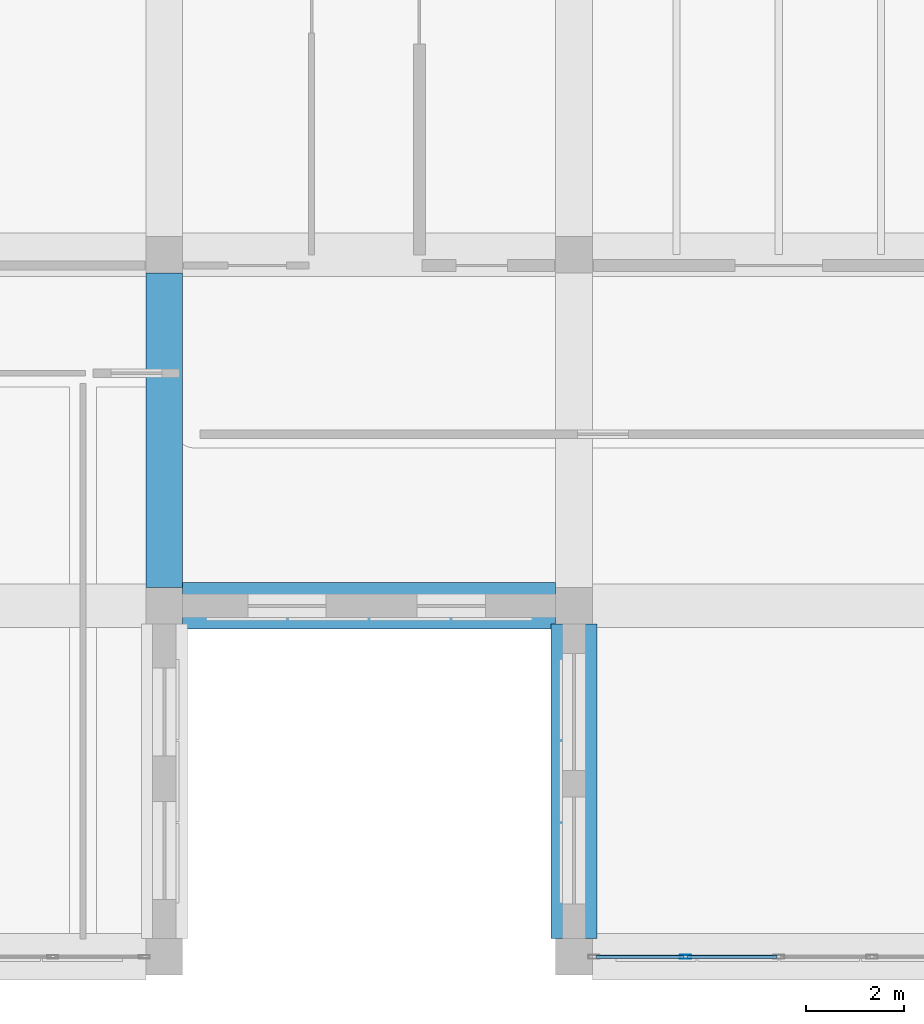
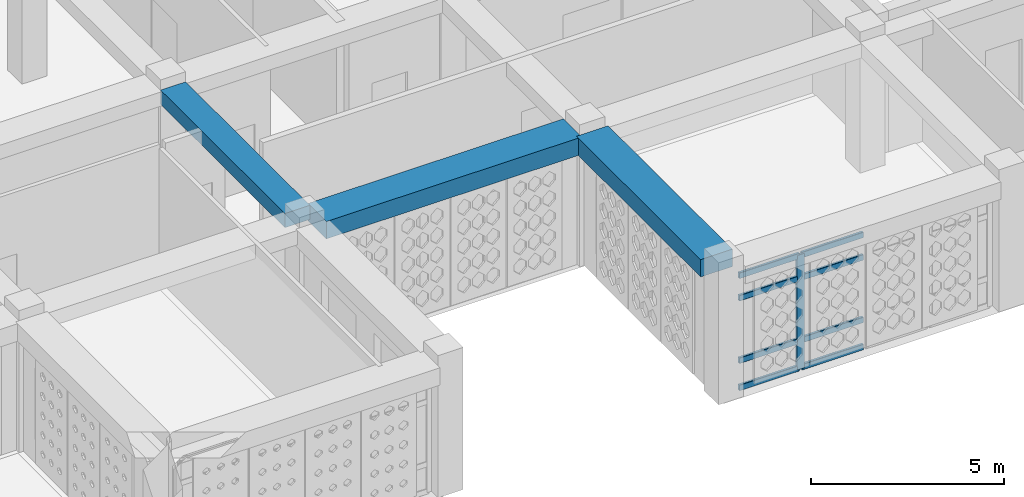
# One storey, part 16 of 111: 9 members, 3 beams, 1 element without a shape of its own.
"""IFC4 building model written with IfcOpenShell, lengths in metres."""

from ifc_helpers import new_model, si_unit, derived_unit, direction, frame, origin, origin_2d, place, context, subcontext, project, spatial, rectangle, hollow_rectangle, extrude, material, material_profile, profile_set, type_object, element, aggregate, save


model = new_model("IFC4")

# Units and contexts
model_context = context("Model", 3, precision=1e-05, world=origin(), true_north=direction((0.0, 1.0)))
body_context = subcontext(model_context, "Body", "Model", "MODEL_VIEW")
ifc_project = project(units=[si_unit("LENGTHUNIT", "METRE"), si_unit("AREAUNIT", "SQUARE_METRE"), si_unit("VOLUMEUNIT", "CUBIC_METRE"), si_unit("PLANEANGLEUNIT", "RADIAN"), si_unit("MASSUNIT", "GRAM", prefix="KILO"), derived_unit("THERMALTRANSMITTANCEUNIT", [(si_unit("POWERUNIT", "WATT"), 1), (si_unit("LENGTHUNIT", "METRE"), -2), (si_unit("THERMODYNAMICTEMPERATUREUNIT", "KELVIN"), -1)])], contexts=[model_context])

# Site, building, storey
site_placement = place(None, origin())
site = spatial("IfcSite", under=ifc_project, at=site_placement, CompositionType="ELEMENT")
building_placement = place(site_placement, origin())
building = spatial("IfcBuilding", under=site, at=building_placement, Name="Veybourne Emporium", CompositionType="ELEMENT")
storey_placement = place(building_placement, frame((0.0, 0.0, 9.89990234375)))
storey = spatial("IfcBuildingStorey", under=building, at=storey_placement, Name="L02", CompositionType="ELEMENT", Elevation=9.89990234375)

# Curtain wall, members
ifc_material_1 = material(Name="Patinated Architectural Bronze", Category="bronze")
curtain_wall_type = type_object("IfcCurtainWallType", Name="CWSystem_CWS-19", PredefinedType="NOTDEFINED", material=ifc_material_1)
curtain_wall_placement = place(storey_placement, origin())
curtain_wall = element("IfcCurtainWall", 1, at=curtain_wall_placement, inside=storey, type_object=curtain_wall_type, Name="L02 bronze glazed curtain wall CWS-19 (046)", PredefinedType="NOTDEFINED")
ifc_material_profile_1 = material_profile(ifc_material_1, hollow_rectangle(XDim=0.077880859375, YDim=0.235107421875, WallThickness=0.0048828125, InnerFilletRadius=0.007568359375, OuterFilletRadius=0.012451171875, at=origin_2d()), Name="CWM 78x235x5")
ifc_profile_set_1 = profile_set([ifc_material_profile_1], Name="Patinated Architectural Bronze")
member_type_1 = type_object("IfcMemberType", Name="CWMullion_CW-M3", PredefinedType="MULLION", material=ifc_profile_set_1)
member_1_placement = place(storey_placement, frame((94.6875, 0.0, 0.0), z_axis=(0.0, 0.0, 1.0), x_axis=(0.0, -1.0, 0.0)))
member_1 = element("IfcMember", 2, at=member_1_placement, type_object=member_type_1, Name="CWS-19 mullion 4", PredefinedType="MULLION", context=body_context, shape_type="SweptSolid", body=[
    extrude(hollow_rectangle(XDim=0.077880859375, YDim=0.235107421875, WallThickness=0.0048828125, InnerFilletRadius=0.007568359375, OuterFilletRadius=0.012451171875, at=origin_2d()), origin(), (0.0, 0.0, 1.0), 3.630126953125),
])
ifc_material_profile_2 = material_profile(ifc_material_1, hollow_rectangle(XDim=0.077880859375, YDim=0.18505859375, WallThickness=0.0048828125, InnerFilletRadius=0.007568359375, OuterFilletRadius=0.012451171875, at=origin_2d()), Name="CWT 78x185x5")
ifc_profile_set_2 = profile_set([ifc_material_profile_2], Name="Patinated Architectural Bronze")
member_type_2 = type_object("IfcMemberType", Name="CWTransom_CW-T3", PredefinedType="NOTDEFINED", material=ifc_profile_set_2)
member_2_placement = place(storey_placement, frame((96.56103515625, 0.0, 0.0390625), z_axis=(-1.0, 0.0, 0.0), x_axis=(0.0, -1.0, 0.0)))
member_2 = element("IfcMember", 3, at=member_2_placement, type_object=member_type_2, Name="CWS-19 transom 3.1", ObjectType="TRANSOM", PredefinedType="USERDEFINED", context=body_context, shape_type="SweptSolid", body=[
    extrude(hollow_rectangle(XDim=0.077880859375, YDim=0.18505859375, WallThickness=0.0048828125, InnerFilletRadius=0.007568359375, OuterFilletRadius=0.012451171875, at=origin_2d()), origin(), (0.0, 0.0, 1.0), 1.83447265625),
])
member_3_placement = place(storey_placement, frame((96.56103515625, 0.0, 0.900146484375), z_axis=(-1.0, 0.0, 0.0), x_axis=(0.0, -1.0, 0.0)))
member_3 = element("IfcMember", 4, at=member_3_placement, type_object=member_type_2, Name="CWS-19 transom 3.2", ObjectType="TRANSOM", PredefinedType="USERDEFINED", context=body_context, shape_type="SweptSolid", body=[
    extrude(hollow_rectangle(XDim=0.077880859375, YDim=0.18505859375, WallThickness=0.0048828125, InnerFilletRadius=0.007568359375, OuterFilletRadius=0.012451171875, at=origin_2d()), origin(), (0.0, 0.0, 1.0), 1.83447265625),
])
member_4_placement = place(storey_placement, frame((96.56103515625, 0.0, 2.880126953125), z_axis=(-1.0, 0.0, 0.0), x_axis=(0.0, -1.0, 0.0)))
member_4 = element("IfcMember", 5, at=member_4_placement, type_object=member_type_2, Name="CWS-19 transom 3.3", ObjectType="TRANSOM", PredefinedType="USERDEFINED", context=body_context, shape_type="SweptSolid", body=[
    extrude(hollow_rectangle(XDim=0.077880859375, YDim=0.18505859375, WallThickness=0.0048828125, InnerFilletRadius=0.007568359375, OuterFilletRadius=0.012451171875, at=origin_2d()), origin(), (0.0, 0.0, 1.0), 1.83447265625),
])
member_5_placement = place(storey_placement, frame((96.56103515625, 0.0, 3.591064453125), z_axis=(-1.0, 0.0, 0.0), x_axis=(0.0, -1.0, 0.0)))
member_5 = element("IfcMember", 6, at=member_5_placement, type_object=member_type_2, Name="CWS-19 transom 3.4", ObjectType="TRANSOM", PredefinedType="USERDEFINED", context=body_context, shape_type="SweptSolid", body=[
    extrude(hollow_rectangle(XDim=0.077880859375, YDim=0.18505859375, WallThickness=0.0048828125, InnerFilletRadius=0.007568359375, OuterFilletRadius=0.012451171875, at=origin_2d()), origin(), (0.0, 0.0, 1.0), 1.83447265625),
])
member_6_placement = place(storey_placement, frame((94.6484375, 0.0, 0.0390625), z_axis=(-1.0, 0.0, 0.0), x_axis=(0.0, -1.0, 0.0)))
member_6 = element("IfcMember", 7, at=member_6_placement, type_object=member_type_2, Name="CWS-19 transom 4.1", ObjectType="TRANSOM", PredefinedType="USERDEFINED", context=body_context, shape_type="SweptSolid", body=[
    extrude(hollow_rectangle(XDim=0.077880859375, YDim=0.18505859375, WallThickness=0.0048828125, InnerFilletRadius=0.007568359375, OuterFilletRadius=0.012451171875, at=origin_2d()), origin(), (0.0, 0.0, 1.0), 1.79541015625),
])
member_7_placement = place(storey_placement, frame((94.6484375, 0.0, 0.900146484375), z_axis=(-1.0, 0.0, 0.0), x_axis=(0.0, -1.0, 0.0)))
member_7 = element("IfcMember", 8, at=member_7_placement, type_object=member_type_2, Name="CWS-19 transom 4.2", ObjectType="TRANSOM", PredefinedType="USERDEFINED", context=body_context, shape_type="SweptSolid", body=[
    extrude(hollow_rectangle(XDim=0.077880859375, YDim=0.18505859375, WallThickness=0.0048828125, InnerFilletRadius=0.007568359375, OuterFilletRadius=0.012451171875, at=origin_2d()), origin(), (0.0, 0.0, 1.0), 1.79541015625),
])
member_8_placement = place(storey_placement, frame((94.6484375, 0.0, 2.880126953125), z_axis=(-1.0, 0.0, 0.0), x_axis=(0.0, -1.0, 0.0)))
member_8 = element("IfcMember", 9, at=member_8_placement, type_object=member_type_2, Name="CWS-19 transom 4.3", ObjectType="TRANSOM", PredefinedType="USERDEFINED", context=body_context, shape_type="SweptSolid", body=[
    extrude(hollow_rectangle(XDim=0.077880859375, YDim=0.18505859375, WallThickness=0.0048828125, InnerFilletRadius=0.007568359375, OuterFilletRadius=0.012451171875, at=origin_2d()), origin(), (0.0, 0.0, 1.0), 1.79541015625),
])
member_9_placement = place(storey_placement, frame((94.6484375, 0.0, 3.591064453125), z_axis=(-1.0, 0.0, 0.0), x_axis=(0.0, -1.0, 0.0)))
member_9 = element("IfcMember", 10, at=member_9_placement, type_object=member_type_2, Name="CWS-19 transom 4.4", ObjectType="TRANSOM", PredefinedType="USERDEFINED", context=body_context, shape_type="SweptSolid", body=[
    extrude(hollow_rectangle(XDim=0.077880859375, YDim=0.18505859375, WallThickness=0.0048828125, InnerFilletRadius=0.007568359375, OuterFilletRadius=0.012451171875, at=origin_2d()), origin(), (0.0, 0.0, 1.0), 1.79541015625),
])
aggregate(curtain_wall, [member_1, member_2, member_3, member_4, member_5, member_6, member_7, member_8, member_9])

# Beams
ifc_material_2 = material(Name="Concrete C32/40", Category="concrete")
ifc_material_profile_3 = material_profile(ifc_material_2, rectangle(XDim=0.75, YDim=0.449951171875, at=origin_2d()), Name="RC 750x450")
ifc_profile_set_3 = profile_set([ifc_material_profile_3], Name="Concrete C32/40")
beam_type_1 = type_object("IfcBeamType", Name="RCBeam_BB-04", PredefinedType="BEAM", material=ifc_profile_set_3)
beam_1_placement = place(storey_placement, frame((84.0, 7.574951171875, 3.955078125), z_axis=(0.0, 1.0, 0.0), x_axis=(-1.0, 0.0, 0.0)))
element("IfcBeam", 11, at=beam_1_placement, inside=storey, type_object=beam_type_1, Name="L02 Y-grid beam BB-04 (10,1)", PredefinedType="BEAM", context=body_context, shape_type="SweptSolid", body=[
    extrude(rectangle(XDim=0.75, YDim=0.449951171875, at=origin_2d()), origin(), (0.0, 0.0, 1.0), 6.449951171875),
])
ifc_material_profile_4 = material_profile(ifc_material_2, rectangle(XDim=0.949951171875, YDim=0.550048828125, at=origin_2d()), Name="RC 950x550")
ifc_profile_set_4 = profile_set([ifc_material_profile_4], Name="Concrete C32/40")
beam_type_2 = type_object("IfcBeamType", Name="RCBeam_EB-01", PredefinedType="SPANDREL", material=ifc_profile_set_4)
beam_2_placement = place(storey_placement, frame((84.375, 7.199951171875, 3.905029296875), z_axis=(1.0, 0.0, 0.0), x_axis=(0.0, 1.0, 0.0)))
element("IfcBeam", 12, at=beam_2_placement, inside=storey, type_object=beam_type_2, Name="L02 X-grid beam EB-01 (10,1)", PredefinedType="SPANDREL", context=body_context, shape_type="SweptSolid", body=[
    extrude(rectangle(XDim=0.949951171875, YDim=0.550048828125, at=origin_2d()), origin(), (0.0, 0.0, 1.0), 7.64990234375),
])
beam_3_placement = place(storey_placement, frame((92.39990234375, 0.375, 3.905029296875), z_axis=(0.0, 1.0, 0.0), x_axis=(-1.0, 0.0, 0.0)))
element("IfcBeam", 13, at=beam_3_placement, inside=storey, type_object=beam_type_2, Name="L02 Y-grid beam EB-01 (11,0)", PredefinedType="SPANDREL", context=body_context, shape_type="SweptSolid", body=[
    extrude(rectangle(XDim=0.949951171875, YDim=0.550048828125, at=origin_2d()), origin(), (0.0, 0.0, 1.0), 6.449951171875),
])

save(model, "model.ifc")
